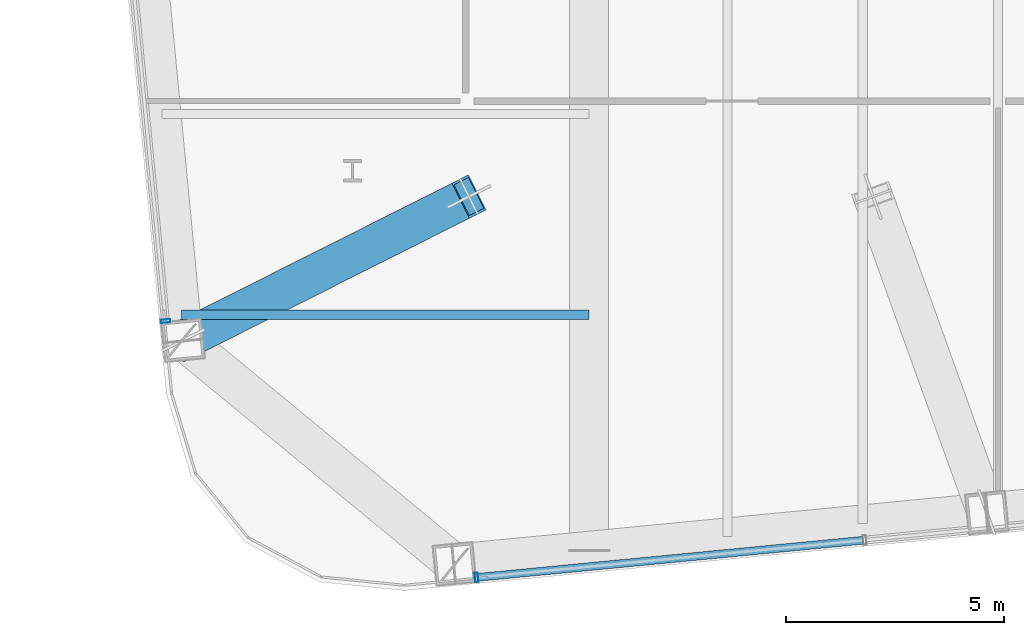
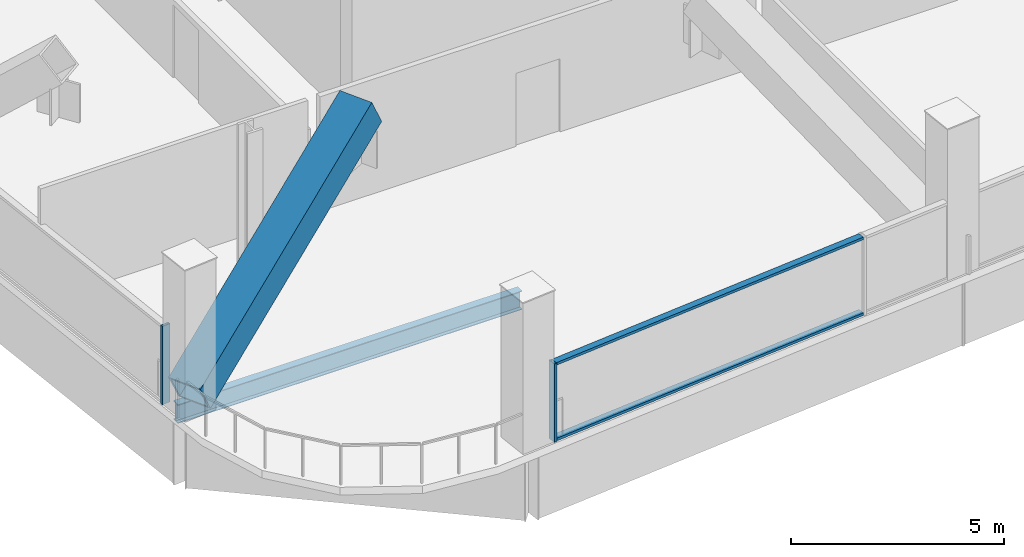
# One storey, part 2 of 30: 5 members, 1 beam, 2 elements without a shape of their own.
"""IFC4 building model written with IfcOpenShell, lengths in metres."""

from ifc_helpers import new_model, si_unit, direction, frame, origin, origin_2d, place, context, subcontext, project, spatial, hollow_rectangle, i_section, extrude, material, layer, layer_set, material_profile, profile_set, type_object, element, aggregate, save


model = new_model("IFC4")

# Units and contexts
model_context = context("Model", 3, precision=1e-05, world=origin(), true_north=direction((0.0, 1.0)))
body_context = subcontext(model_context, "Body", "Model", "MODEL_VIEW")
ifc_project = project(units=[si_unit("LENGTHUNIT", "METRE"), si_unit("AREAUNIT", "SQUARE_METRE"), si_unit("VOLUMEUNIT", "CUBIC_METRE"), si_unit("PLANEANGLEUNIT", "RADIAN"), si_unit("MASSUNIT", "GRAM", prefix="KILO")], contexts=[model_context])

# Site, building, storey
site_placement = place(None, origin())
site = spatial("IfcSite", under=ifc_project, at=site_placement, CompositionType="ELEMENT")
building_placement = place(site_placement, origin())
building = spatial("IfcBuilding", under=site, at=building_placement, Name="Qhalaya Broadcast Tower", CompositionType="ELEMENT")
storey_placement = place(building_placement, frame((0.0, 0.0, 96.89990234375)))
storey = spatial("IfcBuildingStorey", under=building, at=storey_placement, Name="L28", CompositionType="ELEMENT", Elevation=96.89990234375)

# Beam
ifc_material_1 = material(Name="Structural Steel ASTM A992 Grade 50", Category="steel")
ifc_material_profile_1 = material_profile(ifc_material_1, i_section(OverallWidth=0.2099609375, OverallDepth=0.535888671875, WebThickness=0.010986328125, FlangeThickness=0.017333984375, at=origin_2d()), Name="W21X68")
ifc_profile_set_1 = profile_set([ifc_material_profile_1], Name="Structural Steel ASTM A992 Grade 50")
beam_type = type_object("IfcBeamType", Name="Composite Floor Joist J02", PredefinedType="JOIST", material=ifc_profile_set_1)
beam_placement = place(storey_placement, frame((-18.7216796875, -16.5, -0.48779296875), z_axis=(1.0, 0.0, 0.0), x_axis=(0.0, 1.0, 0.0)))
element("IfcBeam", 1, at=beam_placement, inside=storey, type_object=beam_type, Name="L28 J02 L28-JWE1W-1", PredefinedType="JOIST", context=body_context, shape_type="SweptSolid", body=[
    extrude(i_section(OverallWidth=0.2099609375, OverallDepth=0.535888671875, WebThickness=0.010986328125, FlangeThickness=0.017333984375, at=origin_2d()), origin(), (0.0, 0.0, 1.0), 9.3466796875),
])

# Member
ifc_material_2 = material(Name="Structural Steel ASTM A572 Grade 50", Category="steel")
ifc_material_profile_2 = material_profile(ifc_material_2, hollow_rectangle(XDim=0.89990234375, YDim=0.89990234375, WallThickness=0.054931640625, at=origin_2d()), Name="BOX 900x900x55")
ifc_profile_set_2 = profile_set([ifc_material_profile_2], Name="Structural Steel ASTM A572 Grade 50")
member_type_1 = type_object("IfcMemberType", Name="Heavy Exoskeleton Transfer Strut RK1", PredefinedType="BRACE", material=ifc_profile_set_2)
member_1_placement = place(storey_placement, frame((-18.685546875, -17.085205078125, 0.406494140625), z_axis=(0.787006059512, 0.395583970849, 0.473428753139), x_axis=(-0.449102574584, 0.893480205434, 0.0)))
element("IfcMember", 2, at=member_1_placement, inside=storey, type_object=member_type_1, Name="L28 Inclined Exoskeleton Transfer Strut 01", PredefinedType="BRACE", context=body_context, shape_type="SweptSolid", body=[
    extrude(hollow_rectangle(XDim=0.89990234375, YDim=0.89990234375, WallThickness=0.054931640625, at=origin_2d()), origin(), (0.0, 0.0, 1.0), 8.329833984375),
])

# Curtain wall, member
ifc_material_3 = material(Name="Fired Architectural Terracotta", Category="masonry")
ifc_layer = layer(ifc_material_3, 0.219970703125, Name="Fired Architectural Terracotta")
ifc_layer_set = layer_set([ifc_layer], Name="Fired Architectural Terracotta")
curtain_wall_type = type_object("IfcCurtainWallType", Name="Block-Cap Unitised Terracotta Spandrel Wall CW-07", PredefinedType="NOTDEFINED", material=ifc_layer_set)
curtain_wall_1_placement = place(storey_placement, origin())
curtain_wall_1 = element("IfcCurtainWall", 3, at=curtain_wall_1_placement, inside=storey, type_object=curtain_wall_type, Name="L28 Unitised Curtain Wall L28-CW-S", PredefinedType="NOTDEFINED")
ifc_material_4 = material(Name="Anodised Aluminium 6063-T6", Category="aluminium")
ifc_material_profile_3 = material_profile(ifc_material_4, hollow_rectangle(XDim=0.074951171875, YDim=0.219970703125, WallThickness=0.00390625, at=origin_2d()), Name="ALU-MUL 75x220x4")
ifc_profile_set_3 = profile_set([ifc_material_profile_3], Name="Anodised Aluminium 6063-T6")
member_type_2 = type_object("IfcMemberType", Name="Unitised Curtain-Wall Mullion M01", PredefinedType="MULLION", material=ifc_profile_set_3)
member_2_placement = place(storey_placement, frame((-11.95751953125, -22.525390625, 0.0), z_axis=(0.0, 0.0, 1.0), x_axis=(-0.995396096278, -0.095846812756, 0.0)))
member_2 = element("IfcMember", 4, at=member_2_placement, type_object=member_type_2, Name="CW-07 mullion 5", PredefinedType="MULLION", context=body_context, shape_type="SweptSolid", body=[
    extrude(hollow_rectangle(XDim=0.074951171875, YDim=0.219970703125, WallThickness=0.00390625, at=origin_2d()), origin(), (0.0, 0.0, 1.0), 2.25),
])

curtain_wall_2_placement = place(storey_placement, origin())
curtain_wall_2 = element("IfcCurtainWall", 5, at=curtain_wall_2_placement, inside=storey, type_object=curtain_wall_type, Name="L28 Unitised Curtain Wall L28-CW-W", PredefinedType="NOTDEFINED")
member_3_placement = place(storey_placement, frame((-19.08935546875, -16.646484375, 0.0), z_axis=(0.0, 0.0, 1.0), x_axis=(-0.095846812756, 0.995396096278, 0.0)))
member_3 = element("IfcMember", 6, at=member_3_placement, type_object=member_type_2, Name="CW-07 mullion 1", PredefinedType="MULLION", context=body_context, shape_type="SweptSolid", body=[
    extrude(hollow_rectangle(XDim=0.074951171875, YDim=0.219970703125, WallThickness=0.00390625, at=origin_2d()), origin(), (0.0, 0.0, 1.0), 2.25),
])
aggregate(curtain_wall_2, [member_3])

# Member
ifc_material_profile_4 = material_profile(ifc_material_4, hollow_rectangle(XDim=0.074951171875, YDim=0.179931640625, WallThickness=0.00390625, at=origin_2d()), Name="ALU-TRN 75x180x4")
ifc_profile_set_4 = profile_set([ifc_material_profile_4], Name="Anodised Aluminium 6063-T6")
member_type_3 = type_object("IfcMemberType", Name="Unitised Curtain-Wall Transom T01", PredefinedType="USERDEFINED", material=ifc_profile_set_4)
member_4_placement = place(storey_placement, frame((-3.092529296875, -21.671875, 0.03759765625), z_axis=(-0.995397825029, -0.095828857485, 0.0), x_axis=(0.0, 0.0, 1.0)))
member_4 = element("IfcMember", 7, at=member_4_placement, type_object=member_type_3, Name="CW-07 transom 4.1", ObjectType="TRANSOM", PredefinedType="USERDEFINED", context=body_context, shape_type="SweptSolid", body=[
    extrude(hollow_rectangle(XDim=0.074951171875, YDim=0.179931640625, WallThickness=0.00390625, at=origin_2d()), origin(), (0.0, 0.0, 1.0), 8.868408203125),
])

member_5_placement = place(storey_placement, frame((-3.092529296875, -21.671875, 2.212646484375), z_axis=(-0.995397825029, -0.095828857485, 0.0), x_axis=(0.0, 0.0, 1.0)))
member_5 = element("IfcMember", 8, at=member_5_placement, type_object=member_type_3, Name="CW-07 transom 4.2", ObjectType="TRANSOM", PredefinedType="USERDEFINED", context=body_context, shape_type="SweptSolid", body=[
    extrude(hollow_rectangle(XDim=0.074951171875, YDim=0.179931640625, WallThickness=0.00390625, at=origin_2d()), origin(), (0.0, 0.0, 1.0), 8.868408203125),
])

aggregate(curtain_wall_1, [member_2, member_4, member_5])

save(model, "model.ifc")
